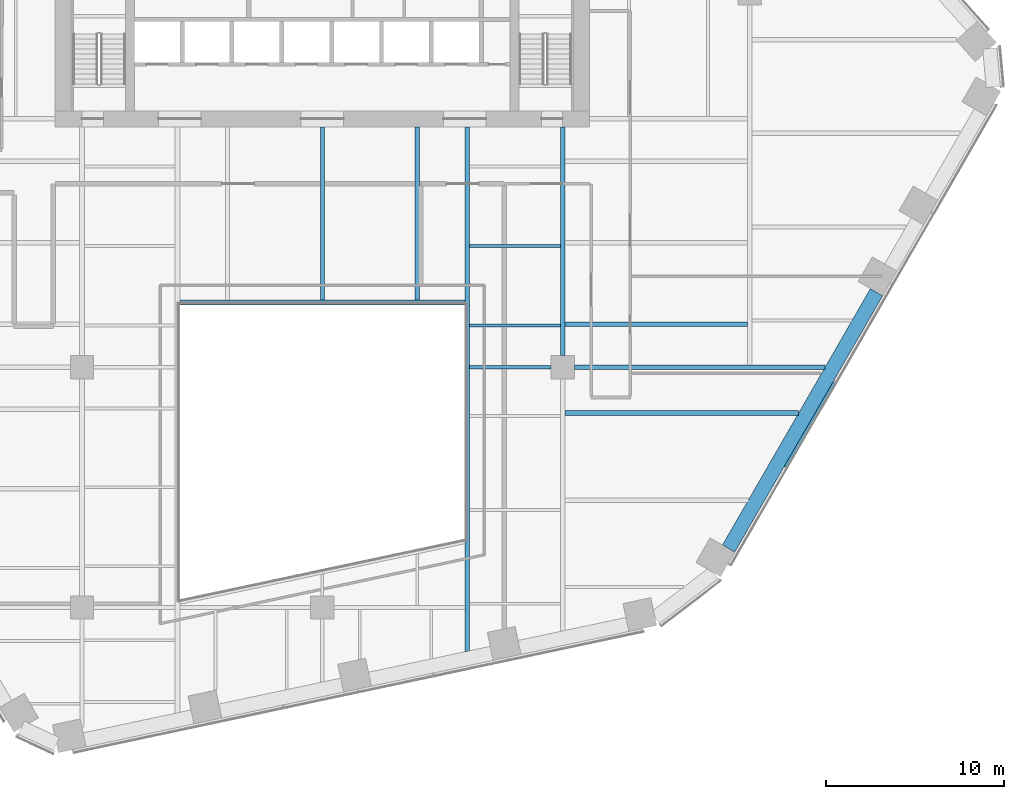
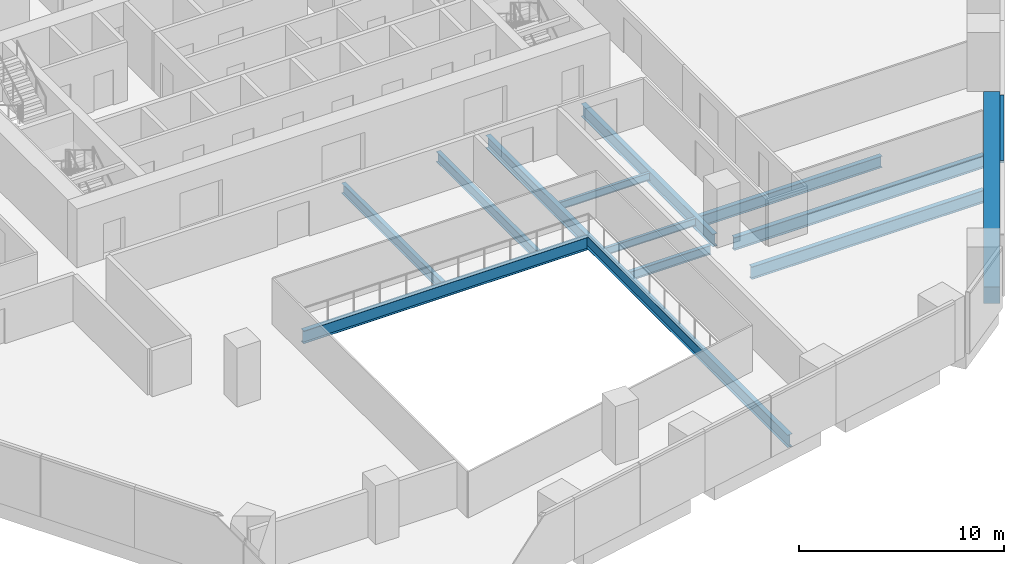
# One storey, part 6 of 21: 12 beams, 1 member, 1 element without a shape of its own.
"""IFC4 building model written with IfcOpenShell, lengths in metres."""

from ifc_helpers import new_model, si_unit, direction, frame, origin, origin_2d, place, context, subcontext, project, spatial, rectangle, i_section, extrude, material, layer, layer_set, material_profile, profile_set, type_object, element, aggregate, save


model = new_model("IFC4")

# Units and contexts
model_context = context("Model", 3, precision=1e-05, world=origin(), true_north=direction((0.0, 1.0)))
body_context = subcontext(model_context, "Body", "Model", "MODEL_VIEW")
ifc_project = project(units=[si_unit("LENGTHUNIT", "METRE"), si_unit("AREAUNIT", "SQUARE_METRE"), si_unit("VOLUMEUNIT", "CUBIC_METRE"), si_unit("PLANEANGLEUNIT", "RADIAN"), si_unit("MASSUNIT", "GRAM", prefix="KILO")], contexts=[model_context])

# Site, building, storey
site_placement = place(None, origin())
site = spatial("IfcSite", under=ifc_project, at=site_placement, CompositionType="ELEMENT")
building_placement = place(site_placement, origin())
building = spatial("IfcBuilding", under=site, at=building_placement, Name="Isthmus Gate Tower", CompositionType="ELEMENT")
storey_placement = place(building_placement, frame((0.0, 0.0, 106.199951171875)))
storey = spatial("IfcBuildingStorey", under=building, at=storey_placement, Name="L25", CompositionType="ELEMENT", Elevation=106.199951171875)

# Curtain wall, member
ifc_material_1 = material(Name="Aluminium, pale champagne anodised", Category="aluminium")
ifc_layer = layer(ifc_material_1, 0.199951171875)
ifc_layer_set = layer_set([ifc_layer], Name="CW-1 UNITISED CURTAIN WALL 200 DEEP")
curtain_wall_type = type_object("IfcCurtainWallType", Name="CW-1 UNITISED CURTAIN WALL 200 DEEP", PredefinedType="NOTDEFINED", material=ifc_layer_set)
curtain_wall_placement = place(storey_placement, origin())
curtain_wall = element("IfcCurtainWall", 1, at=curtain_wall_placement, inside=storey, type_object=curtain_wall_type, Name="CW-1 SE L25", PredefinedType="NOTDEFINED")
ifc_material_2 = material(Name="Aluminium, pale champagne anodised", Category="aluminium")
ifc_material_profile_1 = material_profile(ifc_material_2, rectangle(XDim=0.199951171875, YDim=0.14990234375, at=origin_2d()), Name="200x150")
ifc_profile_set_1 = profile_set([ifc_material_profile_1], Name="Aluminium, pale champagne anodised")
member_type = type_object("IfcMemberType", Name="CW-1 TRANSOM 200 X 150", PredefinedType="USERDEFINED", material=ifc_profile_set_1)
member_placement = place(storey_placement, frame((26.017822265625, -19.135986328125, 3.574951171875), z_axis=(0.499993363642, 0.866029235253, 0.0), x_axis=(-0.866029235253, 0.499993363642, 0.0)))
member = element("IfcMember", 2, at=member_placement, type_object=member_type, Name="CW-1 transom", ObjectType="TRANSOM", PredefinedType="USERDEFINED", context=body_context, shape_type="SweptSolid", body=[
    extrude(rectangle(XDim=0.199951171875, YDim=0.14990234375, at=origin_2d()), origin(), (0.0, 0.0, 1.0), 5.53857421875),
])
aggregate(curtain_wall, [member])

# Beams
ifc_material_3 = material(Name="Concrete f'c 70 MPa", Category="concrete")
ifc_material_profile_2 = material_profile(ifc_material_3, rectangle(XDim=0.800048828125, YDim=1.0, at=origin_2d()), Name="RC 800X1000")
ifc_profile_set_2 = profile_set([ifc_material_profile_2], Name="Concrete f'c 70 MPa")
beam_type_1 = type_object("IfcBeamType", Name="RC SPANDREL 800 X 1000", PredefinedType="SPANDREL", material=ifc_profile_set_2)
beam_1_placement = place(storey_placement, frame((31.123291015625, -9.292724609375, -0.5), z_axis=(-0.499999725976, -0.866025561992, 0.0), x_axis=(0.866025561992, -0.499999725976, 0.0)))
element("IfcBeam", 3, at=beam_1_placement, inside=storey, type_object=beam_type_1, Name="str-spandrel-L25-08", PredefinedType="SPANDREL", context=body_context, shape_type="SweptSolid", body=[
    extrude(rectangle(XDim=0.800048828125, YDim=1.0, at=origin_2d()), origin(), (0.0, 0.0, 1.0), 16.61572265625),
])
ifc_material_4 = material(Name="Structural steel ASTM A992 Gr 50", Category="steel")
ifc_material_profile_3 = material_profile(ifc_material_4, i_section(OverallWidth=0.15234375, OverallDepth=0.45068359375, WebThickness=0.0078125, FlangeThickness=0.010986328125, at=origin_2d()), Name="W18X35")
ifc_profile_set_3 = profile_set([ifc_material_profile_3], Name="Structural steel ASTM A992 Gr 50")
beam_type_2 = type_object("IfcBeamType", Name="STEEL FLOOR BEAM W18X35", PredefinedType="JOIST", material=ifc_profile_set_3)
for number, where, z_axis, x_axis, name in (
    (4, (8.263427734375, -11.16259765625, -0.375244140625), (1.0, 0.0, 0.0), (0.0, 1.0, 0.0), "str-beam-L25-24-00"),
    (5, (8.263427734375, -6.697509765625, -0.375244140625), (1.0, 0.0, 0.0), (0.0, 1.0, 0.0), "str-beam-L25-24-01"),
):
    element("IfcBeam", number, at=place(storey_placement, frame(where, z_axis=z_axis, x_axis=x_axis)), inside=storey, type_object=beam_type_2, Name=name, PredefinedType="JOIST", context=body_context, shape_type="SweptSolid", body=[
        extrude(i_section(OverallWidth=0.15234375, OverallDepth=0.45068359375, WebThickness=0.0078125, FlangeThickness=0.010986328125, at=origin_2d()), origin(), (0.0, 0.0, 1.0), 5.104736328125),
    ])
ifc_material_5 = material(Name="Structural steel ASTM A992 Gr 50", Category="steel")
ifc_material_profile_4 = material_profile(ifc_material_5, i_section(OverallWidth=0.228515625, OverallDepth=0.603271484375, WebThickness=0.010986328125, FlangeThickness=0.014404296875, at=origin_2d()), Name="W24X68")
ifc_profile_set_4 = profile_set([ifc_material_profile_4], Name="Structural steel ASTM A992 Gr 50")
beam_type_3 = type_object("IfcBeamType", Name="STEEL FLOOR BEAM W24X68", PredefinedType="JOIST", material=ifc_profile_set_4)
for number, where, z_axis, x_axis, name in (
    (6, (0.0, -9.7333984375, -0.45166015625), (0.0, 1.0, 0.0), (-1.0, 0.0, 0.0), "str-beam-L25-17-01"),
    (7, (5.333251953125, -9.7333984375, -0.45166015625), (0.0, 1.0, 0.0), (-1.0, 0.0, 0.0), "str-beam-L25-17-02"),
):
    element("IfcBeam", number, at=place(storey_placement, frame(where, z_axis=z_axis, x_axis=x_axis)), inside=storey, type_object=beam_type_3, Name=name, PredefinedType="JOIST", context=body_context, shape_type="SweptSolid", body=[
        extrude(i_section(OverallWidth=0.228515625, OverallDepth=0.603271484375, WebThickness=0.010986328125, FlangeThickness=0.014404296875, at=origin_2d()), origin(), (0.0, 0.0, 1.0), 9.7333984375),
    ])
ifc_material_6 = material(Name="Structural steel ASTM A992 Gr 50", Category="steel")
ifc_material_profile_5 = material_profile(ifc_material_6, i_section(OverallWidth=0.25390625, OverallDepth=0.679443359375, WebThickness=0.010986328125, FlangeThickness=0.015869140625, at=origin_2d()), Name="W27X84")
ifc_profile_set_5 = profile_set([ifc_material_profile_5], Name="Structural steel ASTM A992 Gr 50")
beam_type_4 = type_object("IfcBeamType", Name="STEEL FLOOR BEAM W27X84", PredefinedType="JOIST", material=ifc_profile_set_5)
beam_2_placement = place(storey_placement, frame((13.6318359375, -11.0830078125, -0.48974609375), z_axis=(1.0, 0.0, 0.0), x_axis=(0.0, 1.0, 0.0)))
element("IfcBeam", 8, at=beam_2_placement, inside=storey, type_object=beam_type_4, Name="str-beam-L25-27-00", PredefinedType="JOIST", context=body_context, shape_type="SweptSolid", body=[
    extrude(i_section(OverallWidth=0.25390625, OverallDepth=0.679443359375, WebThickness=0.010986328125, FlangeThickness=0.015869140625, at=origin_2d()), origin(), (0.0, 0.0, 1.0), 10.23486328125),
])
ifc_material_7 = material(Name="Structural steel ASTM A992 Gr 50", Category="steel")
ifc_material_profile_6 = material_profile(ifc_material_7, i_section(OverallWidth=0.263427734375, OverallDepth=0.749267578125, WebThickness=0.0126953125, FlangeThickness=0.015869140625, at=origin_2d()), Name="W30X90")
ifc_profile_set_6 = profile_set([ifc_material_profile_6], Name="Structural steel ASTM A992 Gr 50")
beam_type_5 = type_object("IfcBeamType", Name="STEEL FLOOR BEAM W30X90", PredefinedType="JOIST", material=ifc_profile_set_6)
beam_3_placement = place(storey_placement, frame((13.63330078125, -16.0751953125, -0.524658203125), z_axis=(1.0, 0.0, 0.0), x_axis=(0.0, 1.0, 0.0)))
element("IfcBeam", 9, at=beam_3_placement, inside=storey, type_object=beam_type_5, Name="str-beam-L25-28-02", PredefinedType="JOIST", context=body_context, shape_type="SweptSolid", body=[
    extrude(i_section(OverallWidth=0.263427734375, OverallDepth=0.749267578125, WebThickness=0.0126953125, FlangeThickness=0.015869140625, at=origin_2d()), origin(), (0.0, 0.0, 1.0), 13.1123046875),
])
ifc_material_8 = material(Name="Structural steel ASTM A992 Gr 50", Category="steel")
ifc_material_profile_7 = material_profile(ifc_material_8, i_section(OverallWidth=0.20947265625, OverallDepth=0.533447265625, WebThickness=0.009521484375, FlangeThickness=0.015869140625, at=origin_2d()), Name="W21X62")
ifc_profile_set_7 = profile_set([ifc_material_profile_7], Name="Structural steel ASTM A992 Gr 50")
beam_type_6 = type_object("IfcBeamType", Name="STEEL GIRDER W21X62", PredefinedType="BEAM", material=ifc_profile_set_7)
beam_4_placement = place(storey_placement, frame((8.263427734375, -13.5, -0.416748046875), z_axis=(1.0, 0.0, 0.0), x_axis=(0.0, 1.0, 0.0)))
element("IfcBeam", 10, at=beam_4_placement, inside=storey, type_object=beam_type_6, Name="str-girder-L25-07", PredefinedType="BEAM", context=body_context, shape_type="SweptSolid", body=[
    extrude(i_section(OverallWidth=0.20947265625, OverallDepth=0.533447265625, WebThickness=0.009521484375, FlangeThickness=0.015869140625, at=origin_2d()), origin(), (0.0, 0.0, 1.0), 4.586669921875),
])
ifc_material_9 = material(Name="Structural steel ASTM A992 Gr 50", Category="steel")
ifc_material_profile_8 = material_profile(ifc_material_9, i_section(OverallWidth=0.2666015625, OverallDepth=0.7587890625, WebThickness=0.014404296875, FlangeThickness=0.01904296875, at=origin_2d()), Name="W30X108")
ifc_profile_set_8 = profile_set([ifc_material_profile_8], Name="Structural steel ASTM A992 Gr 50")
beam_type_7 = type_object("IfcBeamType", Name="STEEL GIRDER W30X108", PredefinedType="BEAM", material=ifc_profile_set_8)
beam_5_placement = place(storey_placement, frame((14.14990234375, -13.5, -0.529296875), z_axis=(1.0, 0.0, 0.0), x_axis=(0.0, 1.0, 0.0)))
element("IfcBeam", 11, at=beam_5_placement, inside=storey, type_object=beam_type_7, Name="str-girder-L25-08", PredefinedType="BEAM", context=body_context, shape_type="SweptSolid", body=[
    extrude(i_section(OverallWidth=0.2666015625, OverallDepth=0.7587890625, WebThickness=0.014404296875, FlangeThickness=0.01904296875, at=origin_2d()), origin(), (0.0, 0.0, 1.0), 14.08251953125),
])
ifc_material_10 = material(Name="Structural steel ASTM A992 Gr 50", Category="steel")
ifc_material_profile_9 = material_profile(ifc_material_10, i_section(OverallWidth=0.263427734375, OverallDepth=0.749267578125, WebThickness=0.0126953125, FlangeThickness=0.015869140625, at=origin_2d()), Name="W30X90")
ifc_profile_set_9 = profile_set([ifc_material_profile_9], Name="Structural steel ASTM A992 Gr 50")
beam_type_8 = type_object("IfcBeamType", Name="STEEL GIRDER W30X90", PredefinedType="BEAM", material=ifc_profile_set_9)
beam_6_placement = place(storey_placement, frame((13.5, -12.85009765625, -0.524658203125), z_axis=(0.0, 1.0, 0.0), x_axis=(-1.0, 0.0, 0.0)))
element("IfcBeam", 12, at=beam_6_placement, inside=storey, type_object=beam_type_8, Name="str-girder-L25-33", PredefinedType="BEAM", context=body_context, shape_type="SweptSolid", body=[
    extrude(i_section(OverallWidth=0.263427734375, OverallDepth=0.749267578125, WebThickness=0.0126953125, FlangeThickness=0.015869140625, at=origin_2d()), origin(), (0.0, 0.0, 1.0), 12.85009765625),
])
ifc_material_11 = material(Name="Structural steel ASTM A992 Gr 50", Category="steel")
ifc_material_profile_10 = material_profile(ifc_material_11, i_section(OverallWidth=0.2666015625, OverallDepth=0.7587890625, WebThickness=0.014404296875, FlangeThickness=0.01904296875, at=origin_2d()), Name="W30X108")
ifc_profile_set_10 = profile_set([ifc_material_profile_10], Name="Structural steel ASTM A992 Gr 50")
beam_type_9 = type_object("IfcBeamType", Name="STEEL TRIMMER W30X108", PredefinedType="BEAM", material=ifc_profile_set_10)
beam_7_placement = place(storey_placement, frame((8.0, -9.86669921875, -0.529296875), z_axis=(-1.0, 0.0, 0.0), x_axis=(0.0, -1.0, 0.0)))
element("IfcBeam", 13, at=beam_7_placement, inside=storey, type_object=beam_type_9, Name="str-trimmer-L25-04", PredefinedType="BEAM", context=body_context, shape_type="SweptSolid", body=[
    extrude(i_section(OverallWidth=0.2666015625, OverallDepth=0.7587890625, WebThickness=0.014404296875, FlangeThickness=0.01904296875, at=origin_2d()), origin(), (0.0, 0.0, 1.0), 16.0),
])
ifc_material_12 = material(Name="Structural steel ASTM A992 Gr 50", Category="steel")
ifc_material_profile_11 = material_profile(ifc_material_12, i_section(OverallWidth=0.263427734375, OverallDepth=0.749267578125, WebThickness=0.0126953125, FlangeThickness=0.015869140625, at=origin_2d()), Name="W30X90")
ifc_profile_set_11 = profile_set([ifc_material_profile_11], Name="Structural steel ASTM A992 Gr 50")
beam_type_10 = type_object("IfcBeamType", Name="STEEL TRIMMER W30X90", PredefinedType="BEAM", material=ifc_profile_set_11)
beam_8_placement = place(storey_placement, frame((8.1318359375, -29.45361328125, -0.524658203125), z_axis=(0.0, 1.0, 0.0), x_axis=(-1.0, 0.0, 0.0)))
element("IfcBeam", 14, at=beam_8_placement, inside=storey, type_object=beam_type_10, Name="str-trimmer-L25-01", PredefinedType="BEAM", context=body_context, shape_type="SweptSolid", body=[
    extrude(i_section(OverallWidth=0.263427734375, OverallDepth=0.749267578125, WebThickness=0.0126953125, FlangeThickness=0.015869140625, at=origin_2d()), origin(), (0.0, 0.0, 1.0), 29.45361328125),
])

save(model, "model.ifc")
